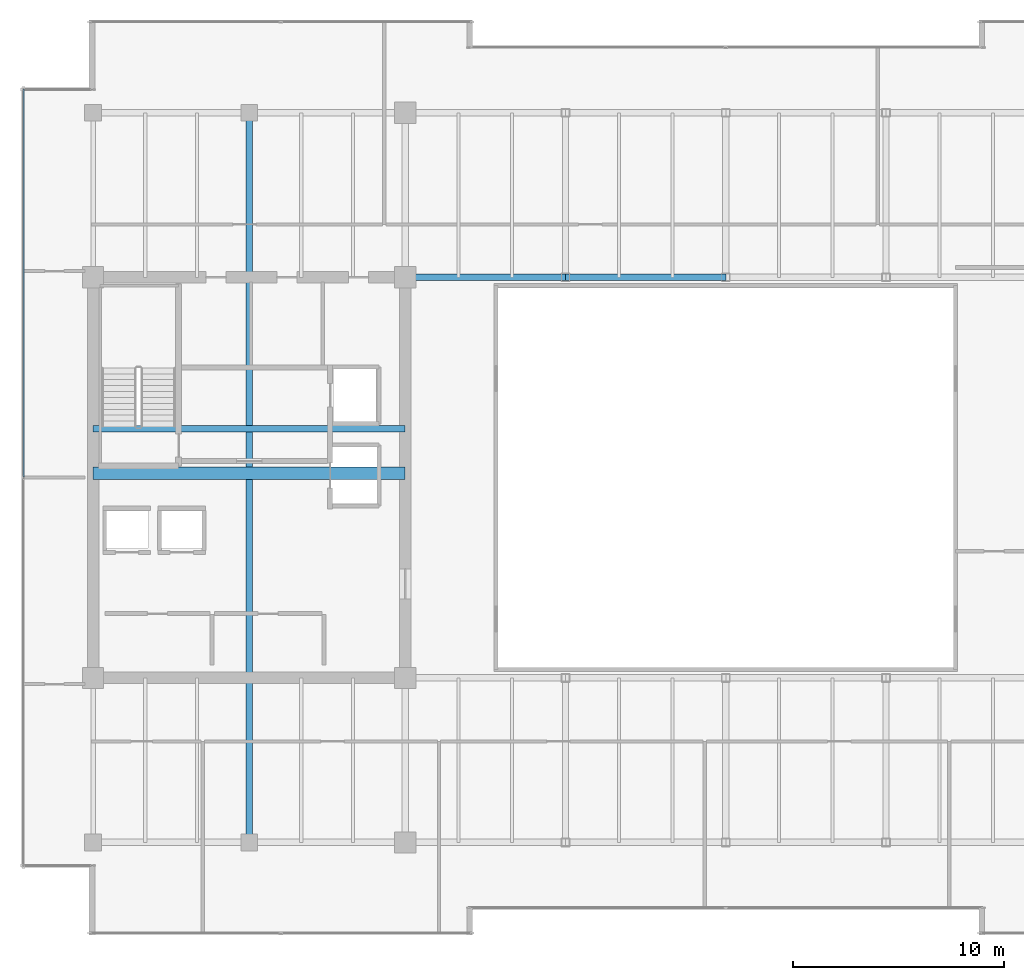
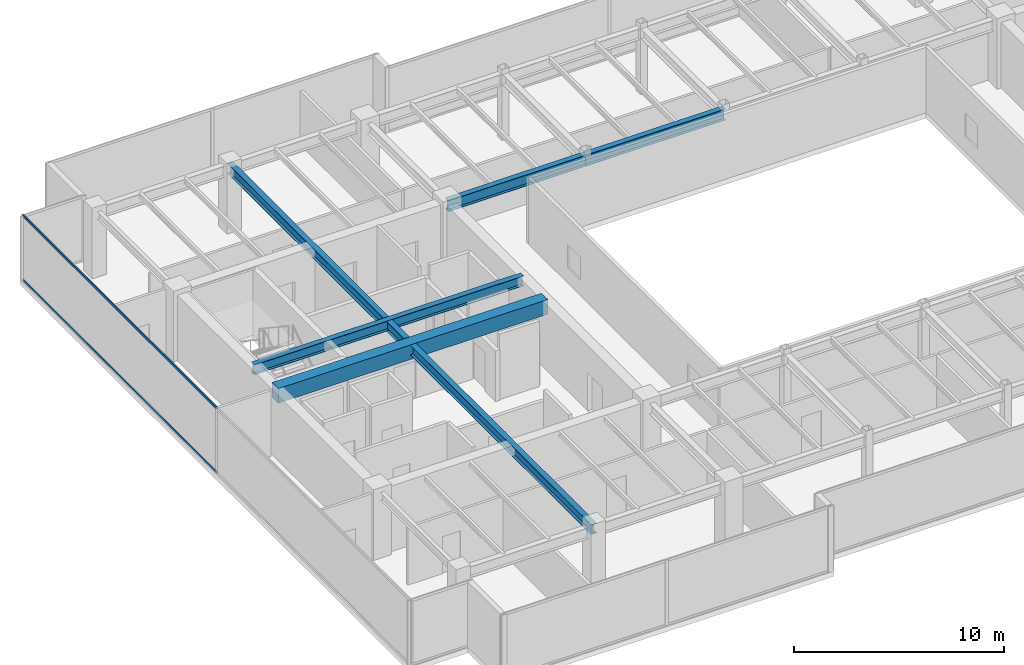
# One storey, part 10 of 33: 5 beams, 2 members, 1 element without a shape of its own.
"""IFC4 building model written with IfcOpenShell, lengths in metres."""

import ifcopenshell
import ifcopenshell.guid

model = None  # the IFC model being written
_history = None  # IfcOwnerHistory: only IFC2X3 demands one
_inside = {}  # id of a spatial element -> (the spatial element, [elements in it])
_under = {}  # id of a project, library or spatial element -> (it, [spatial elements below it])
_declared = {}  # id of a project -> (the project, [libraries it declares])
_typed = {}  # id of a type object -> (the type object, [elements of that type])
_made_of = {}  # id of a material, layer set ... -> (it, [elements and type objects made of it])


def new_model(schema):
    """Start an empty IFC model of exactly this schema.

    Asked for "IFC4X3", IfcOpenShell would pick the latest addendum, in which some entities
    have other attributes; the version numbers below select the first issue.
    IFC2X3 requires an IfcOwnerHistory on every rooted entity: one is made here for all.
    """
    global model, _history
    if schema == "IFC4X3":
        model = ifcopenshell.file(schema_version=(4, 3, 0, 0))
    else:
        model = ifcopenshell.file(schema=schema)
    _inside.clear()
    _under.clear()
    _declared.clear()
    _typed.clear()
    _made_of.clear()
    _history = None
    if model.schema == "IFC2X3":
        org = make("IfcOrganization", Name="unknown")
        user = make(
            "IfcPersonAndOrganization",
            ThePerson=make("IfcPerson", FamilyName="unknown"),
            TheOrganization=org,
        )
        app = make(
            "IfcApplication",
            ApplicationDeveloper=org,
            Version="unknown",
            ApplicationFullName="unknown",
            ApplicationIdentifier="unknown",
        )
        _history = make(
            "IfcOwnerHistory",
            OwningUser=user,
            OwningApplication=app,
            ChangeAction="ADDED",
            CreationDate=0,
        )
    return model


def make(cls, **values):
    """One entity of the class cls with the attributes given. An attribute that is None is left unset."""
    return model.create_entity(
        cls, **{name: value for name, value in values.items() if value is not None}
    )


def rooted(cls, **values):
    """An entity with a GlobalId (a new one), such as an element, a storey or a relation."""
    return make(cls, GlobalId=ifcopenshell.guid.new(), OwnerHistory=_history, **values)


def si_unit(unit_type, name, prefix=None):
    """IfcSIUnit, for example si_unit("LENGTHUNIT", "METRE", prefix="MILLI")."""
    return make("IfcSIUnit", UnitType=unit_type, Prefix=prefix, Name=name)


def assignment(units):
    """IfcUnitAssignment: the units of a project."""
    return None if units is None else make("IfcUnitAssignment", Units=units)


def point(xyz):
    """IfcCartesianPoint."""
    return None if xyz is None else make("IfcCartesianPoint", Coordinates=xyz)


def direction(xyz):
    """IfcDirection."""
    return None if xyz is None else make("IfcDirection", DirectionRatios=xyz)


def frame(location, z_axis=None, x_axis=None):
    """IfcAxis2Placement3D, a coordinate frame: its origin and axes. An axis left out is left unset."""
    return make(
        "IfcAxis2Placement3D",
        Location=point(location),
        Axis=direction(z_axis),
        RefDirection=direction(x_axis),
    )


def frame_2d(location, x_axis=None):
    """IfcAxis2Placement2D, a coordinate frame in the plane: its origin and x axis."""
    return make(
        "IfcAxis2Placement2D", Location=point(location), RefDirection=direction(x_axis)
    )


def origin():
    """The frame at (0, 0, 0) with its axes left unset."""
    return frame((0.0, 0.0, 0.0))


def origin_2d():
    """The frame at (0, 0) in the plane with its x axis left unset."""
    return frame_2d((0.0, 0.0))


def place(relative_to, where):
    """IfcLocalPlacement: puts the frame where relative to a parent placement (None: the world)."""
    return make(
        "IfcLocalPlacement", PlacementRelTo=relative_to, RelativePlacement=where
    )


def context(
    kind, dimensions, precision=None, world=None, true_north=None, identifier=None
):
    """IfcGeometricRepresentationContext, for example the 3D "Model" context."""
    return make(
        "IfcGeometricRepresentationContext",
        ContextIdentifier=identifier,
        ContextType=kind,
        CoordinateSpaceDimension=dimensions,
        Precision=precision,
        WorldCoordinateSystem=world,
        TrueNorth=true_north,
    )


def subcontext(parent, identifier, kind, view, scale=None):
    """IfcGeometricRepresentationSubContext, for example "Body" below "Model"."""
    return make(
        "IfcGeometricRepresentationSubContext",
        ContextIdentifier=identifier,
        ContextType=kind,
        ParentContext=parent,
        TargetScale=scale,
        TargetView=view,
    )


def project(units=None, contexts=None):
    """IfcProject with its units and contexts."""
    return rooted(
        "IfcProject",
        Name="project",
        RepresentationContexts=contexts,
        UnitsInContext=assignment(units),
    )


def spatial(cls, under=None, at=None, **own):
    """A site, building, storey or space (cls), placed at a placement, below another one or the project."""
    s = rooted(cls, ObjectPlacement=at, **own)
    if under is not None:
        _under.setdefault(under.id(), (under, []))[1].append(s)
    return s


def profile(cls, at=None, kind="AREA", **sizes):
    """A parametric profile (cls). Its sizes go by their IFC names, for example OverallWidth=200.0."""
    return make(cls, ProfileType=kind, Position=at, **sizes)


def rectangle(**sizes):
    """IfcRectangleProfileDef."""
    return profile("IfcRectangleProfileDef", **sizes)


def hollow_rectangle(**sizes):
    """IfcRectangleHollowProfileDef."""
    return profile("IfcRectangleHollowProfileDef", **sizes)


def i_section(**sizes):
    """IfcIShapeProfileDef."""
    return profile("IfcIShapeProfileDef", **sizes)


def extrude(swept, where, along, depth):
    """IfcExtrudedAreaSolid: the profile swept, set in the frame where, extruded along a direction by depth."""
    return make(
        "IfcExtrudedAreaSolid",
        SweptArea=swept,
        Position=where,
        ExtrudedDirection=direction(along),
        Depth=depth,
    )


def shape(context_of_items, identifier, shape_type, items):
    """IfcShapeRepresentation: the items that make up one representation, for example the "Body"."""
    return make(
        "IfcShapeRepresentation",
        ContextOfItems=context_of_items,
        RepresentationIdentifier=identifier,
        RepresentationType=shape_type,
        Items=items,
    )


def source(mapping_origin, context_of_items, identifier, shape_type, items):
    """IfcRepresentationMap: a shape defined once, which mapped items show again and again."""
    return make(
        "IfcRepresentationMap",
        MappingOrigin=mapping_origin,
        MappedRepresentation=shape(context_of_items, identifier, shape_type, items),
    )


def transform(
    local_origin,
    x_axis=None,
    y_axis=None,
    z_axis=None,
    scale=None,
    scale2=None,
    scale3=None,
    uniform=True,
):
    """IfcCartesianTransformationOperator3D, or its non-uniform kind. x_axis, y_axis, z_axis: its Axis1, 2, 3."""
    if uniform:
        return make(
            "IfcCartesianTransformationOperator3D",
            Axis1=direction(x_axis),
            Axis2=direction(y_axis),
            LocalOrigin=point(local_origin),
            Scale=scale,
            Axis3=direction(z_axis),
        )
    return make(
        "IfcCartesianTransformationOperator3DnonUniform",
        Axis1=direction(x_axis),
        Axis2=direction(y_axis),
        LocalOrigin=point(local_origin),
        Scale=scale,
        Axis3=direction(z_axis),
        Scale2=scale2,
        Scale3=scale3,
    )


def mapped(mapping_source, mapping_target):
    """IfcMappedItem: shows the shape of a source again, moved by a transform."""
    return make(
        "IfcMappedItem", MappingSource=mapping_source, MappingTarget=mapping_target
    )


def material(Name=None, Category=None):
    """IfcMaterial."""
    return make("IfcMaterial", Name=Name, Category=Category)


def layer(
    of_material, thickness, ventilated=None, Name=None, Category=None, Priority=None
):
    """IfcMaterialLayer: one layer of a wall or slab, of a material (None: an air gap)."""
    return make(
        "IfcMaterialLayer",
        Material=of_material,
        LayerThickness=thickness,
        IsVentilated=ventilated,
        Name=Name,
        Category=Category,
        Priority=Priority,
    )


def layer_set(layers, Name=None):
    """IfcMaterialLayerSet."""
    return make("IfcMaterialLayerSet", MaterialLayers=layers, LayerSetName=Name)


def material_profile(
    of_material, cross_section, Name=None, Category=None, Priority=None
):
    """IfcMaterialProfile: a cross section and its material."""
    return make(
        "IfcMaterialProfile",
        Name=Name,
        Material=of_material,
        Profile=cross_section,
        Priority=Priority,
        Category=Category,
    )


def profile_set(profiles, Name=None, composite=None):
    """IfcMaterialProfileSet."""
    return make(
        "IfcMaterialProfileSet",
        Name=Name,
        MaterialProfiles=profiles,
        CompositeProfile=composite,
    )


def made_of(thing, what):
    """Note that an element or type object is made of a material, layer set ...; save() writes the relation."""
    if what is not None:
        _made_of.setdefault(what.id(), (what, []))[1].append(thing)
    return thing


def type_object(cls, material=None, **own):
    """A type object (cls), such as IfcWallType, which elements share."""
    return made_of(rooted(cls, **own), material)


def type_shapes(of_type, sources):
    """Give a type object the sources (RepresentationMaps) that its elements show as mapped items."""
    of_type.RepresentationMaps = sources


def element(
    cls,
    number,
    at=None,
    inside=None,
    cuts=None,
    type_object=None,
    material=None,
    context=None,
    identifier="Body",
    shape_type=None,
    held_by="IfcProductDefinitionShape",
    body=None,
    shapes=None,
    **own,
):
    """One element of the class cls, such as IfcWall. Its Tag is "e" and its number.

    at: its placement. inside: the storey or other place that contains it. cuts: it is an
    opening in that element (IfcRelVoidsElement). A single representation is given by context,
    identifier, shape_type and body (its items); several are given by shapes. held_by: the class
    of the entity that holds the representations. save() writes the other relations.
    """
    e = rooted(cls, Tag="e%d" % number, ObjectPlacement=at, **own)
    if body is not None:
        shapes = [shape(context, identifier, shape_type, body)]
    if shapes is not None:
        e.Representation = make(held_by, Representations=shapes)
    if inside is not None:
        _inside.setdefault(inside.id(), (inside, []))[1].append(e)
    if cuts is not None:
        rooted(
            "IfcRelVoidsElement", RelatingBuildingElement=cuts, RelatedOpeningElement=e
        )
    if type_object is not None:
        _typed.setdefault(type_object.id(), (type_object, []))[1].append(e)
    return made_of(e, material)


def aggregate(whole, parts):
    """IfcRelAggregates: a whole, such as a stair, and the parts it consists of."""
    return rooted("IfcRelAggregates", RelatingObject=whole, RelatedObjects=parts)


def save(model, path):
    """Write the relations noted so far, then the file.

    IfcRelAggregates (storeys below a building ...), IfcRelContainedInSpatialStructure (elements
    in a storey), IfcRelDefinesByType, IfcRelAssociatesMaterial and IfcRelDeclares: one each for
    every whole, place, type object, material and project.
    """
    for whole, parts in _under.values():
        aggregate(whole, parts)
    for where, things in _inside.values():
        rooted(
            "IfcRelContainedInSpatialStructure",
            RelatedElements=things,
            RelatingStructure=where,
        )
    for kind, things in _typed.values():
        rooted("IfcRelDefinesByType", RelatedObjects=things, RelatingType=kind)
    for what, things in _made_of.values():
        rooted("IfcRelAssociatesMaterial", RelatedObjects=things, RelatingMaterial=what)
    for by, libraries in _declared.values():
        rooted("IfcRelDeclares", RelatingContext=by, RelatedDefinitions=libraries)
    model.write(path)


model = new_model("IFC4")

# Units and contexts
model_context = context("Model", 3, precision=1e-05, world=origin(), true_north=direction((0.0, 1.0)))
body_context = subcontext(model_context, "Body", "Model", "MODEL_VIEW")
ifc_project = project(units=[si_unit("LENGTHUNIT", "METRE"), si_unit("AREAUNIT", "SQUARE_METRE"), si_unit("VOLUMEUNIT", "CUBIC_METRE"), si_unit("PLANEANGLEUNIT", "RADIAN"), si_unit("MASSUNIT", "GRAM", prefix="KILO")], contexts=[model_context])

# Site, building, storey
site_placement = place(None, origin())
site = spatial("IfcSite", under=ifc_project, at=site_placement, CompositionType="ELEMENT")
building_placement = place(site_placement, origin())
building = spatial("IfcBuilding", under=site, at=building_placement, Name="Haelvirn Gate Laboratories", CompositionType="ELEMENT")
storey_placement = place(building_placement, frame((0.0, 0.0, 238.300048828125)))
storey = spatial("IfcBuildingStorey", under=building, at=storey_placement, Name="L57", CompositionType="ELEMENT", Elevation=238.300048828125)

# Beams
ifc_material_1 = material(Name="Steel SM355", Category="steel")
ifc_material_profile_1 = material_profile(ifc_material_1, i_section(OverallWidth=0.300048828125, OverallDepth=0.587890625, WebThickness=0.011962890625, FlangeThickness=0.02001953125, at=origin_2d()), Name="H-588x300x12x20")
ifc_profile_set_1 = profile_set([ifc_material_profile_1], Name="Steel SM355")
beam_type_1 = type_object("IfcBeamType", Name="BM-G-588", PredefinedType="BEAM", material=ifc_profile_set_1)
shared_shape_1 = source(origin(), body_context, "Body", "SweptSolid", [
    extrude(i_section(OverallWidth=0.300048828125, OverallDepth=0.587890625, WebThickness=0.011962890625, FlangeThickness=0.02001953125, at=origin_2d()), origin(), (0.0, 0.0, 1.0), 14.800048828125),
])
beam_1_placement = place(storey_placement, frame((7.39990234375, 26.6201171875, 3.505859375), z_axis=(1.0, 0.0, 0.0), x_axis=(0.0, 1.0, 0.0)))
element("IfcBeam", 1, at=beam_1_placement, inside=storey, type_object=beam_type_1, Name="L57 Stair ST1 Landing Header", PredefinedType="BEAM", context=body_context, shape_type="MappedRepresentation", body=[
    mapped(shared_shape_1, transform((0.0, 0.0, 0.0), scale=1.0)),
])
shared_shape_2 = source(origin(), body_context, "Body", "SweptSolid", [
    extrude(i_section(OverallWidth=0.300048828125, OverallDepth=0.587890625, WebThickness=0.011962890625, FlangeThickness=0.02001953125, at=origin_2d()), origin(), (0.0, 0.0, 1.0), 34.60009765625),
])
type_shapes(beam_type_1, [shared_shape_1, shared_shape_2])
beam_2_placement = place(storey_placement, frame((14.800048828125, 7.0, 3.505859375), z_axis=(0.0, 1.0, 0.0), x_axis=(-1.0, 0.0, 0.0)))
element("IfcBeam", 2, at=beam_2_placement, inside=storey, type_object=beam_type_1, Name="L57 Frame Girder X14.8 (7.0-41.6)", PredefinedType="BEAM", context=body_context, shape_type="MappedRepresentation", body=[
    mapped(shared_shape_2, transform((0.0, 0.0, 0.0), scale=1.0)),
])
ifc_material_2 = material(Name="Concrete C50/60", Category="concrete")
ifc_material_profile_2 = material_profile(ifc_material_2, rectangle(XDim=0.60009765625, YDim=0.85009765625, at=origin_2d()), Name="RCB-600x850")
ifc_profile_set_2 = profile_set([ifc_material_profile_2], Name="Concrete C50/60")
beam_type_2 = type_object("IfcBeamType", Name="BM-RCB-850", PredefinedType="LINTEL", material=ifc_profile_set_2)
shared_shape_3 = source(origin(), body_context, "Body", "SweptSolid", [
    extrude(rectangle(XDim=0.60009765625, YDim=0.85009765625, at=origin_2d()), origin(), (0.0, 0.0, 1.0), 14.800048828125),
])
type_shapes(beam_type_2, [shared_shape_3])
beam_3_placement = place(storey_placement, frame((7.39990234375, 24.5, 3.375), z_axis=(1.0, 0.0, 0.0), x_axis=(0.0, 1.0, 0.0)))
element("IfcBeam", 3, at=beam_3_placement, inside=storey, type_object=beam_type_2, Name="L57 West Core Coupling Beam", PredefinedType="LINTEL", context=body_context, shape_type="MappedRepresentation", body=[
    mapped(shared_shape_3, transform((0.0, 0.0, 0.0), scale=1.0)),
])
ifc_material_profile_3 = material_profile(ifc_material_1, i_section(OverallWidth=0.300048828125, OverallDepth=0.64990234375, WebThickness=0.012939453125, FlangeThickness=0.02197265625, at=origin_2d()), Name="H-650x300x13x22")
ifc_profile_set_3 = profile_set([ifc_material_profile_3], Name="Steel SM355")
beam_type_3 = type_object("IfcBeamType", Name="BM-G-650", PredefinedType="BEAM", material=ifc_profile_set_3)
shared_shape_4 = source(origin(), body_context, "Body", "SweptSolid", [
    extrude(i_section(OverallWidth=0.300048828125, OverallDepth=0.64990234375, WebThickness=0.012939453125, FlangeThickness=0.02197265625, at=origin_2d()), origin(), (0.0, 0.0, 1.0), 7.60009765625),
])
beam_4_placement = place(storey_placement, frame((22.199951171875, 33.800048828125, 3.474853515625), z_axis=(1.0, 0.0, 0.0), x_axis=(0.0, 1.0, 0.0)))
element("IfcBeam", 4, at=beam_4_placement, inside=storey, type_object=beam_type_3, Name="L57 Primary Girder Y33.8 (22.2-29.8)", PredefinedType="BEAM", context=body_context, shape_type="MappedRepresentation", body=[
    mapped(shared_shape_4, transform((0.0, 0.0, 0.0), scale=1.0)),
])
shared_shape_5 = source(origin(), body_context, "Body", "SweptSolid", [
    extrude(i_section(OverallWidth=0.300048828125, OverallDepth=0.64990234375, WebThickness=0.012939453125, FlangeThickness=0.02197265625, at=origin_2d()), origin(), (0.0, 0.0, 1.0), 7.599853515625),
])
type_shapes(beam_type_3, [shared_shape_4, shared_shape_5])
beam_5_placement = place(storey_placement, frame((29.800048828125, 33.800048828125, 3.474853515625), z_axis=(1.0, 0.0, 0.0), x_axis=(0.0, 1.0, 0.0)))
element("IfcBeam", 5, at=beam_5_placement, inside=storey, type_object=beam_type_3, Name="L57 Primary Girder Y33.8 (29.8-37.4)", PredefinedType="BEAM", context=body_context, shape_type="MappedRepresentation", body=[
    mapped(shared_shape_5, transform((0.0, 0.0, 0.0), scale=1.0)),
])

# Curtain wall, members
ifc_material_3 = material(Name="Anodised bronze unitised aluminium & triple low-E glass", Category="aluminium")
ifc_layer = layer(ifc_material_3, 0.176025390625, Name="CW-SYS-4")
ifc_layer_set = layer_set([ifc_layer], Name="Anodised bronze unitised aluminium & triple low-E glass")
curtain_wall_type = type_object("IfcCurtainWallType", Name="CW-SYS-4", PredefinedType="NOTDEFINED", material=ifc_layer_set)
curtain_wall_placement = place(storey_placement, origin())
curtain_wall = element("IfcCurtainWall", 6, at=curtain_wall_placement, inside=storey, type_object=curtain_wall_type, Name="L57 Unitised Curtain Wall CW-L57-P0-E17", PredefinedType="NOTDEFINED")
ifc_material_4 = material(Name="Extruded aluminium 6063-T6 (anodised bronze)", Category="aluminium")
ifc_material_profile_4 = material_profile(ifc_material_4, hollow_rectangle(XDim=0.06494140625, YDim=0.139892578125, WallThickness=0.00390625, at=origin_2d()), Name="CWT-140x65x4")
ifc_profile_set_4 = profile_set([ifc_material_profile_4], Name="Extruded aluminium 6063-T6 (anodised bronze)")
member_type = type_object("IfcMemberType", Name="CWT-T140", PredefinedType="USERDEFINED", material=ifc_profile_set_4)
shared_shape_6 = source(origin(), body_context, "Body", "SweptSolid", [
    extrude(hollow_rectangle(XDim=0.06494140625, YDim=0.139892578125, WallThickness=0.00390625, at=origin_2d()), origin(), (0.0, 0.0, 1.0), 18.39501953125),
])
type_shapes(member_type, [shared_shape_6])
member_1_placement = place(storey_placement, frame((4.10009765625, 42.72998046875, 0.032470703125), z_axis=(0.0, -1.0, 0.0), x_axis=(1.0, 0.0, 0.0)))
member_1 = element("IfcMember", 7, at=member_1_placement, type_object=member_type, Name="CW4 transom 1.1", ObjectType="TRANSOM", PredefinedType="USERDEFINED", context=body_context, shape_type="MappedRepresentation", body=[
    mapped(shared_shape_6, transform((0.0, 0.0, 0.0), scale=1.0)),
])
member_2_placement = place(storey_placement, frame((4.10009765625, 42.72998046875, 3.767333984375), z_axis=(0.0, -1.0, 0.0), x_axis=(1.0, 0.0, 0.0)))
member_2 = element("IfcMember", 8, at=member_2_placement, type_object=member_type, Name="CW4 transom 1.2", ObjectType="TRANSOM", PredefinedType="USERDEFINED", context=body_context, shape_type="MappedRepresentation", body=[
    mapped(shared_shape_6, transform((0.0, 0.0, 0.0), scale=1.0)),
])
aggregate(curtain_wall, [member_1, member_2])

save(model, "model.ifc")
